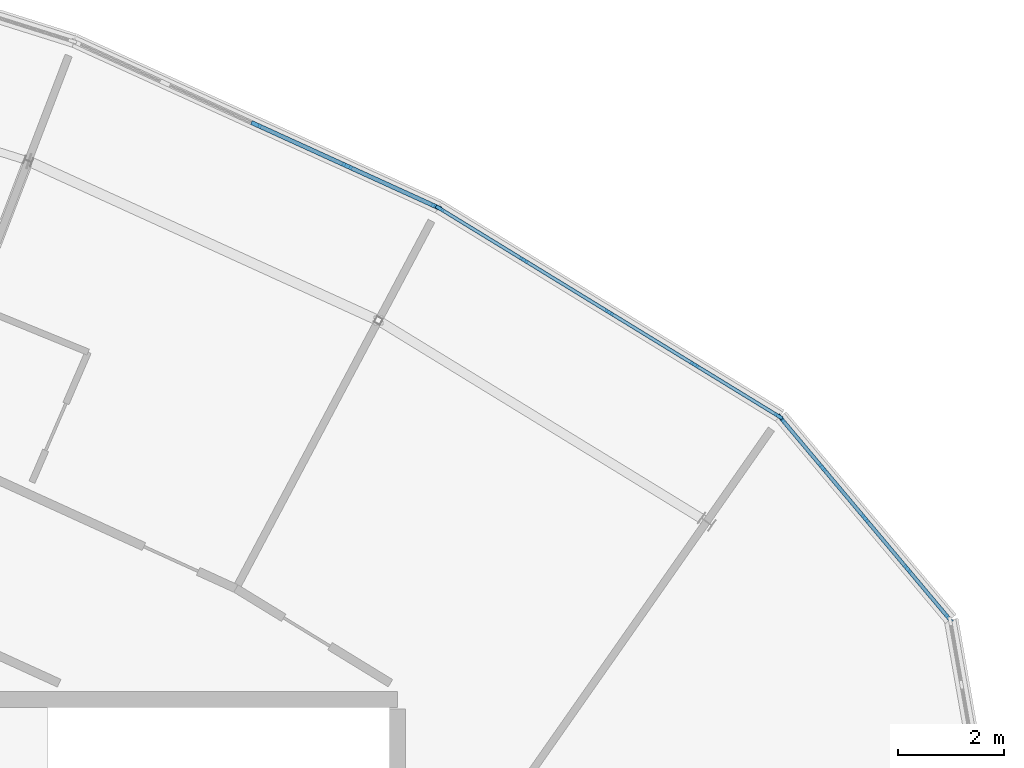
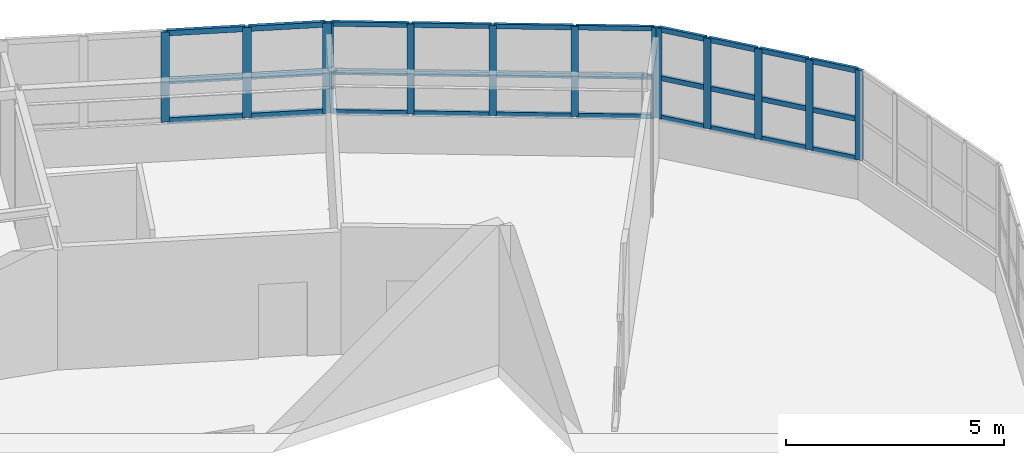
# One storey, part 14 of 26: 43 members, 3 elements without a shape of their own.
"""IFC4 building model written with IfcOpenShell, lengths in metres."""

from ifc_helpers import new_model, si_unit, direction, frame, origin, origin_2d, place, context, subcontext, project, spatial, rectangle, extrude, material, layer, layer_set, material_profile, profile_set, type_object, element, aggregate, save


model = new_model("IFC4")

# Units and contexts
model_context = context("Model", 3, precision=1e-05, world=origin(), true_north=direction((0.0, 1.0)))
body_context = subcontext(model_context, "Body", "Model", "MODEL_VIEW")
ifc_project = project(units=[si_unit("LENGTHUNIT", "METRE"), si_unit("AREAUNIT", "SQUARE_METRE"), si_unit("VOLUMEUNIT", "CUBIC_METRE"), si_unit("PLANEANGLEUNIT", "RADIAN"), si_unit("MASSUNIT", "GRAM", prefix="KILO")], contexts=[model_context])

# Site, building, storey
site_placement = place(None, origin())
site = spatial("IfcSite", under=ifc_project, at=site_placement, CompositionType="ELEMENT")
building_placement = place(site_placement, origin())
building = spatial("IfcBuilding", under=site, at=building_placement, Name="Tarnwether General Hospital", CompositionType="ELEMENT")
storey_placement = place(building_placement, frame((0.0, 0.0, 30.0)))
storey = spatial("IfcBuildingStorey", under=building, at=storey_placement, Name="L07", CompositionType="ELEMENT", Elevation=30.0)

# Curtain wall, members
ifc_material_1 = material(Name="Anodised aluminium", Category="aluminium")
ifc_layer_1 = layer(ifc_material_1, 0.159912109375)
ifc_layer_set_1 = layer_set([ifc_layer_1], Name="Anodised aluminium")
curtain_wall_type_1 = type_object("IfcCurtainWallType", Name="CW-03", PredefinedType="NOTDEFINED", material=ifc_layer_set_1)
curtain_wall_1_placement = place(storey_placement, origin())
curtain_wall_1 = element("IfcCurtainWall", 1, at=curtain_wall_1_placement, inside=storey, type_object=curtain_wall_type_1, Name="Curtain Wall CWG-L07-1273_1135-0145", PredefinedType="NOTDEFINED")
ifc_material_2 = material(Name="Anodised aluminium", Category="aluminium")
ifc_material_profile_1 = material_profile(ifc_material_2, rectangle(XDim=0.070068359375, YDim=0.179931640625, at=origin_2d()), Name="ALU-MUL-70x180")
ifc_profile_set_1 = profile_set([ifc_material_profile_1], Name="Anodised aluminium")
member_type_1 = type_object("IfcMemberType", Name="CW-ML2", PredefinedType="MULLION", material=ifc_profile_set_1)
member_1_placement = place(storey_placement, frame((127.3544921875, 113.43310546875, 1.050048828125), z_axis=(0.0, 0.0, 1.0), x_axis=(0.765990176896, 0.64285227611, 0.0)))
member_1 = element("IfcMember", 2, at=member_1_placement, type_object=member_type_1, Name="CW-03 mullion 1", PredefinedType="MULLION", context=body_context, shape_type="SweptSolid", body=[
    extrude(rectangle(XDim=0.070068359375, YDim=0.179931640625, at=origin_2d()), origin(), (0.0, 0.0, 1.0), 2.52001953125),
])
member_2_placement = place(storey_placement, frame((128.130859375, 112.50830078125, 1.050048828125), z_axis=(0.0, 0.0, 1.0), x_axis=(0.765990176896, 0.64285227611, 0.0)))
member_2 = element("IfcMember", 3, at=member_2_placement, type_object=member_type_1, Name="CW-03 mullion 2", PredefinedType="MULLION", context=body_context, shape_type="SweptSolid", body=[
    extrude(rectangle(XDim=0.070068359375, YDim=0.179931640625, at=origin_2d()), origin(), (0.0, 0.0, 1.0), 2.52001953125),
])
member_3_placement = place(storey_placement, frame((128.929443359375, 111.556396484375, 1.050048828125), z_axis=(0.0, 0.0, 1.0), x_axis=(0.765990176896, 0.64285227611, 0.0)))
member_3 = element("IfcMember", 4, at=member_3_placement, type_object=member_type_1, Name="CW-03 mullion 3", PredefinedType="MULLION", context=body_context, shape_type="SweptSolid", body=[
    extrude(rectangle(XDim=0.070068359375, YDim=0.179931640625, at=origin_2d()), origin(), (0.0, 0.0, 1.0), 2.52001953125),
])
member_4_placement = place(storey_placement, frame((129.728271484375, 110.604736328125, 1.050048828125), z_axis=(0.0, 0.0, 1.0), x_axis=(0.765990176896, 0.64285227611, 0.0)))
member_4 = element("IfcMember", 5, at=member_4_placement, type_object=member_type_1, Name="CW-03 mullion 4", PredefinedType="MULLION", context=body_context, shape_type="SweptSolid", body=[
    extrude(rectangle(XDim=0.070068359375, YDim=0.179931640625, at=origin_2d()), origin(), (0.0, 0.0, 1.0), 2.52001953125),
])
member_5_placement = place(storey_placement, frame((130.50439453125, 109.679931640625, 1.050048828125), z_axis=(0.0, 0.0, 1.0), x_axis=(0.765990176896, 0.64285227611, 0.0)))
member_5 = element("IfcMember", 6, at=member_5_placement, type_object=member_type_1, Name="CW-03 mullion 5", PredefinedType="MULLION", context=body_context, shape_type="SweptSolid", body=[
    extrude(rectangle(XDim=0.070068359375, YDim=0.179931640625, at=origin_2d()), origin(), (0.0, 0.0, 1.0), 2.52001953125),
])

ifc_material_3 = material(Name="Anodised aluminium", Category="aluminium")
ifc_layer_2 = layer(ifc_material_3, 0.179931640625)
ifc_layer_set_2 = layer_set([ifc_layer_2], Name="Anodised aluminium")
curtain_wall_type_2 = type_object("IfcCurtainWallType", Name="CW-07", PredefinedType="NOTDEFINED", material=ifc_layer_set_2)
curtain_wall_2_placement = place(storey_placement, origin())
curtain_wall_2 = element("IfcCurtainWall", 7, at=curtain_wall_2_placement, inside=storey, type_object=curtain_wall_type_2, Name="Curtain Wall CWG-L07-1209_1174-0146", PredefinedType="NOTDEFINED")
ifc_material_4 = material(Name="Anodised aluminium", Category="aluminium")
ifc_material_profile_2 = material_profile(ifc_material_4, rectangle(XDim=0.06494140625, YDim=0.169921875, at=origin_2d()), Name="ALU-MUL-65x170")
ifc_profile_set_2 = profile_set([ifc_material_profile_2], Name="Anodised aluminium")
member_type_2 = type_object("IfcMemberType", Name="CW-ML3", PredefinedType="MULLION", material=ifc_profile_set_2)
member_6_placement = place(storey_placement, frame((120.94677734375, 117.373046875, 1.050048828125), z_axis=(0.0, 0.0, 1.0), x_axis=(0.522509056361, 0.852633734977, 0.0)))
member_6 = element("IfcMember", 8, at=member_6_placement, type_object=member_type_2, Name="CW-07 mullion 1", PredefinedType="MULLION", context=body_context, shape_type="SweptSolid", body=[
    extrude(rectangle(XDim=0.06494140625, YDim=0.169921875, at=origin_2d()), origin(), (0.0, 0.0, 1.0), 2.52001953125),
])
member_7_placement = place(storey_placement, frame((122.522216796875, 116.407470703125, 1.050048828125), z_axis=(0.0, 0.0, 1.0), x_axis=(0.522509056361, 0.852633734977, 0.0)))
member_7 = element("IfcMember", 9, at=member_7_placement, type_object=member_type_2, Name="CW-07 mullion 2", PredefinedType="MULLION", context=body_context, shape_type="SweptSolid", body=[
    extrude(rectangle(XDim=0.06494140625, YDim=0.169921875, at=origin_2d()), origin(), (0.0, 0.0, 1.0), 2.52001953125),
])
member_8_placement = place(storey_placement, frame((124.12548828125, 115.425048828125, 1.050048828125), z_axis=(0.0, 0.0, 1.0), x_axis=(0.522509056361, 0.852633734977, 0.0)))
member_8 = element("IfcMember", 10, at=member_8_placement, type_object=member_type_2, Name="CW-07 mullion 3", PredefinedType="MULLION", context=body_context, shape_type="SweptSolid", body=[
    extrude(rectangle(XDim=0.06494140625, YDim=0.169921875, at=origin_2d()), origin(), (0.0, 0.0, 1.0), 2.52001953125),
])
member_9_placement = place(storey_placement, frame((125.728759765625, 114.4423828125, 1.050048828125), z_axis=(0.0, 0.0, 1.0), x_axis=(0.522509056361, 0.852633734977, 0.0)))
member_9 = element("IfcMember", 11, at=member_9_placement, type_object=member_type_2, Name="CW-07 mullion 4", PredefinedType="MULLION", context=body_context, shape_type="SweptSolid", body=[
    extrude(rectangle(XDim=0.06494140625, YDim=0.169921875, at=origin_2d()), origin(), (0.0, 0.0, 1.0), 2.52001953125),
])
member_10_placement = place(storey_placement, frame((127.30419921875, 113.47705078125, 1.050048828125), z_axis=(0.0, 0.0, 1.0), x_axis=(0.522509056361, 0.852633734977, 0.0)))
member_10 = element("IfcMember", 12, at=member_10_placement, type_object=member_type_2, Name="CW-07 mullion 5", PredefinedType="MULLION", context=body_context, shape_type="SweptSolid", body=[
    extrude(rectangle(XDim=0.06494140625, YDim=0.169921875, at=origin_2d()), origin(), (0.0, 0.0, 1.0), 2.52001953125),
])

curtain_wall_3_placement = place(storey_placement, origin())
curtain_wall_3 = element("IfcCurtainWall", 13, at=curtain_wall_3_placement, inside=storey, type_object=curtain_wall_type_2, Name="Curtain Wall CWG-L07-1141_1205-0147", PredefinedType="NOTDEFINED")
ifc_material_5 = material(Name="Anodised aluminium", Category="aluminium")
ifc_material_profile_3 = material_profile(ifc_material_5, rectangle(XDim=0.080078125, YDim=0.199951171875, at=origin_2d()), Name="ALU-MUL-80x200")
ifc_profile_set_3 = profile_set([ifc_material_profile_3], Name="Anodised aluminium")
member_type_3 = type_object("IfcMemberType", Name="CW-ML4", PredefinedType="MULLION", material=ifc_profile_set_3)
member_11_placement = place(storey_placement, frame((117.4970703125, 118.949462890625, 1.050048828125), z_axis=(0.0, 0.0, 1.0), x_axis=(0.414694289316, 0.909960793886, 0.0)))
member_11 = element("IfcMember", 14, at=member_11_placement, type_object=member_type_3, Name="CW-07 mullion 3", PredefinedType="MULLION", context=body_context, shape_type="SweptSolid", body=[
    extrude(rectangle(XDim=0.080078125, YDim=0.199951171875, at=origin_2d()), origin(), (0.0, 0.0, 1.0), 2.52001953125),
])
member_12_placement = place(storey_placement, frame((119.2080078125, 118.169677734375, 1.050048828125), z_axis=(0.0, 0.0, 1.0), x_axis=(0.414694289316, 0.909960793886, 0.0)))
member_12 = element("IfcMember", 15, at=member_12_placement, type_object=member_type_3, Name="CW-07 mullion 4", PredefinedType="MULLION", context=body_context, shape_type="SweptSolid", body=[
    extrude(rectangle(XDim=0.080078125, YDim=0.199951171875, at=origin_2d()), origin(), (0.0, 0.0, 1.0), 2.52001953125),
])
member_13_placement = place(storey_placement, frame((120.882568359375, 117.406494140625, 1.050048828125), z_axis=(0.0, 0.0, 1.0), x_axis=(0.414694289316, 0.909960793886, 0.0)))
member_13 = element("IfcMember", 16, at=member_13_placement, type_object=member_type_3, Name="CW-07 mullion 5", PredefinedType="MULLION", context=body_context, shape_type="SweptSolid", body=[
    extrude(rectangle(XDim=0.080078125, YDim=0.199951171875, at=origin_2d()), origin(), (0.0, 0.0, 1.0), 2.52001953125),
])

# Member
ifc_material_6 = material(Name="Anodised aluminium", Category="aluminium")
ifc_material_profile_4 = material_profile(ifc_material_6, rectangle(XDim=0.070068359375, YDim=0.139892578125, at=origin_2d()), Name="ALU-TRN-70x140")
ifc_profile_set_4 = profile_set([ifc_material_profile_4], Name="Anodised aluminium")
member_type_4 = type_object("IfcMemberType", Name="CW-TR2", PredefinedType="USERDEFINED", material=ifc_profile_set_4)
member_14_placement = place(storey_placement, frame((127.376953125, 113.406494140625, 1.0849609375), z_axis=(0.642819527062, -0.766017660128, 0.0), x_axis=(0.766017660128, 0.642819527062, 0.0)))
member_14 = element("IfcMember", 17, at=member_14_placement, type_object=member_type_4, Name="CW-03 transom 1.1", ObjectType="TRANSOM", PredefinedType="USERDEFINED", context=body_context, shape_type="SweptSolid", body=[
    extrude(rectangle(XDim=0.070068359375, YDim=0.139892578125, at=origin_2d()), origin(), (0.0, 0.0, 1.0), 1.137451171875),
])

member_15_placement = place(storey_placement, frame((127.376953125, 113.406494140625, 2.18408203125), z_axis=(0.642819527062, -0.766017660128, 0.0), x_axis=(0.766017660128, 0.642819527062, 0.0)))
member_15 = element("IfcMember", 18, at=member_15_placement, type_object=member_type_4, Name="CW-03 transom 1.2", ObjectType="TRANSOM", PredefinedType="USERDEFINED", context=body_context, shape_type="SweptSolid", body=[
    extrude(rectangle(XDim=0.070068359375, YDim=0.139892578125, at=origin_2d()), origin(), (0.0, 0.0, 1.0), 1.137451171875),
])

member_16_placement = place(storey_placement, frame((127.376953125, 113.406494140625, 3.534912109375), z_axis=(0.642819527062, -0.766017660128, 0.0), x_axis=(0.766017660128, 0.642819527062, 0.0)))
member_16 = element("IfcMember", 19, at=member_16_placement, type_object=member_type_4, Name="CW-03 transom 1.3", ObjectType="TRANSOM", PredefinedType="USERDEFINED", context=body_context, shape_type="SweptSolid", body=[
    extrude(rectangle(XDim=0.070068359375, YDim=0.139892578125, at=origin_2d()), origin(), (0.0, 0.0, 1.0), 1.137451171875),
])

member_17_placement = place(storey_placement, frame((128.1533203125, 112.4814453125, 1.0849609375), z_axis=(0.642781800387, -0.766049317662, 0.0), x_axis=(0.766049317662, 0.642781800387, 0.0)))
member_17 = element("IfcMember", 20, at=member_17_placement, type_object=member_type_4, Name="CW-03 transom 2.1", ObjectType="TRANSOM", PredefinedType="USERDEFINED", context=body_context, shape_type="SweptSolid", body=[
    extrude(rectangle(XDim=0.070068359375, YDim=0.139892578125, at=origin_2d()), origin(), (0.0, 0.0, 1.0), 1.172607421875),
])

member_18_placement = place(storey_placement, frame((128.1533203125, 112.4814453125, 2.18408203125), z_axis=(0.642781800387, -0.766049317662, 0.0), x_axis=(0.766049317662, 0.642781800387, 0.0)))
member_18 = element("IfcMember", 21, at=member_18_placement, type_object=member_type_4, Name="CW-03 transom 2.2", ObjectType="TRANSOM", PredefinedType="USERDEFINED", context=body_context, shape_type="SweptSolid", body=[
    extrude(rectangle(XDim=0.070068359375, YDim=0.139892578125, at=origin_2d()), origin(), (0.0, 0.0, 1.0), 1.172607421875),
])

member_19_placement = place(storey_placement, frame((128.1533203125, 112.4814453125, 3.534912109375), z_axis=(0.642781800387, -0.766049317662, 0.0), x_axis=(0.766049317662, 0.642781800387, 0.0)))
member_19 = element("IfcMember", 22, at=member_19_placement, type_object=member_type_4, Name="CW-03 transom 2.3", ObjectType="TRANSOM", PredefinedType="USERDEFINED", context=body_context, shape_type="SweptSolid", body=[
    extrude(rectangle(XDim=0.070068359375, YDim=0.139892578125, at=origin_2d()), origin(), (0.0, 0.0, 1.0), 1.172607421875),
])

member_20_placement = place(storey_placement, frame((128.951904296875, 111.52978515625, 1.0849609375), z_axis=(0.642903967191, -0.765946792519, 0.0), x_axis=(0.765946792519, 0.642903967191, 0.0)))
member_20 = element("IfcMember", 23, at=member_20_placement, type_object=member_type_4, Name="CW-03 transom 3.1", ObjectType="TRANSOM", PredefinedType="USERDEFINED", context=body_context, shape_type="SweptSolid", body=[
    extrude(rectangle(XDim=0.070068359375, YDim=0.139892578125, at=origin_2d()), origin(), (0.0, 0.0, 1.0), 1.172607421875),
])

member_21_placement = place(storey_placement, frame((128.951904296875, 111.52978515625, 2.18408203125), z_axis=(0.642903967191, -0.765946792519, 0.0), x_axis=(0.765946792519, 0.642903967191, 0.0)))
member_21 = element("IfcMember", 24, at=member_21_placement, type_object=member_type_4, Name="CW-03 transom 3.2", ObjectType="TRANSOM", PredefinedType="USERDEFINED", context=body_context, shape_type="SweptSolid", body=[
    extrude(rectangle(XDim=0.070068359375, YDim=0.139892578125, at=origin_2d()), origin(), (0.0, 0.0, 1.0), 1.172607421875),
])

member_22_placement = place(storey_placement, frame((128.951904296875, 111.52978515625, 3.534912109375), z_axis=(0.642903967191, -0.765946792519, 0.0), x_axis=(0.765946792519, 0.642903967191, 0.0)))
member_22 = element("IfcMember", 25, at=member_22_placement, type_object=member_type_4, Name="CW-03 transom 3.3", ObjectType="TRANSOM", PredefinedType="USERDEFINED", context=body_context, shape_type="SweptSolid", body=[
    extrude(rectangle(XDim=0.070068359375, YDim=0.139892578125, at=origin_2d()), origin(), (0.0, 0.0, 1.0), 1.172607421875),
])

member_23_placement = place(storey_placement, frame((129.750732421875, 110.577880859375, 1.0849609375), z_axis=(0.642819527062, -0.766017660128, 0.0), x_axis=(0.766017660128, 0.642819527062, 0.0)))
member_23 = element("IfcMember", 26, at=member_23_placement, type_object=member_type_4, Name="CW-03 transom 4.1", ObjectType="TRANSOM", PredefinedType="USERDEFINED", context=body_context, shape_type="SweptSolid", body=[
    extrude(rectangle(XDim=0.070068359375, YDim=0.139892578125, at=origin_2d()), origin(), (0.0, 0.0, 1.0), 1.137451171875),
])

member_24_placement = place(storey_placement, frame((129.750732421875, 110.577880859375, 2.18408203125), z_axis=(0.642819527062, -0.766017660128, 0.0), x_axis=(0.766017660128, 0.642819527062, 0.0)))
member_24 = element("IfcMember", 27, at=member_24_placement, type_object=member_type_4, Name="CW-03 transom 4.2", ObjectType="TRANSOM", PredefinedType="USERDEFINED", context=body_context, shape_type="SweptSolid", body=[
    extrude(rectangle(XDim=0.070068359375, YDim=0.139892578125, at=origin_2d()), origin(), (0.0, 0.0, 1.0), 1.137451171875),
])

member_25_placement = place(storey_placement, frame((129.750732421875, 110.577880859375, 3.534912109375), z_axis=(0.642819527062, -0.766017660128, 0.0), x_axis=(0.766017660128, 0.642819527062, 0.0)))
member_25 = element("IfcMember", 28, at=member_25_placement, type_object=member_type_4, Name="CW-03 transom 4.3", ObjectType="TRANSOM", PredefinedType="USERDEFINED", context=body_context, shape_type="SweptSolid", body=[
    extrude(rectangle(XDim=0.070068359375, YDim=0.139892578125, at=origin_2d()), origin(), (0.0, 0.0, 1.0), 1.137451171875),
])

aggregate(curtain_wall_1, [member_1, member_2, member_3, member_4, member_5, member_14, member_15, member_16, member_17, member_18, member_19, member_20, member_21, member_22, member_23, member_24, member_25])

ifc_material_7 = material(Name="Anodised aluminium", Category="aluminium")
ifc_material_profile_5 = material_profile(ifc_material_7, rectangle(XDim=0.06494140625, YDim=0.1298828125, at=origin_2d()), Name="ALU-TRN-65x130")
ifc_profile_set_5 = profile_set([ifc_material_profile_5], Name="Anodised aluminium")
member_type_5 = type_object("IfcMemberType", Name="CW-TR3", PredefinedType="USERDEFINED", material=ifc_profile_set_5)
member_26_placement = place(storey_placement, frame((120.974365234375, 117.35595703125, 1.08251953125), z_axis=(0.852695705147, -0.522407919565, 0.0), x_axis=(0.522407919565, 0.852695705147, 0.0)))
member_26 = element("IfcMember", 29, at=member_26_placement, type_object=member_type_5, Name="CW-07 transom 1.1", ObjectType="TRANSOM", PredefinedType="USERDEFINED", context=body_context, shape_type="SweptSolid", body=[
    extrude(rectangle(XDim=0.06494140625, YDim=0.1298828125, at=origin_2d()), origin(), (0.0, 0.0, 1.0), 1.782958984375),
])

member_27_placement = place(storey_placement, frame((120.974365234375, 117.35595703125, 2.18408203125), z_axis=(0.852695705147, -0.522407919565, 0.0), x_axis=(0.522407919565, 0.852695705147, 0.0)))
member_27 = element("IfcMember", 30, at=member_27_placement, type_object=member_type_5, Name="CW-07 transom 1.2", ObjectType="TRANSOM", PredefinedType="USERDEFINED", context=body_context, shape_type="SweptSolid", body=[
    extrude(rectangle(XDim=0.06494140625, YDim=0.1298828125, at=origin_2d()), origin(), (0.0, 0.0, 1.0), 1.782958984375),
])

member_28_placement = place(storey_placement, frame((120.974365234375, 117.35595703125, 3.53759765625), z_axis=(0.852695705147, -0.522407919565, 0.0), x_axis=(0.522407919565, 0.852695705147, 0.0)))
member_28 = element("IfcMember", 31, at=member_28_placement, type_object=member_type_5, Name="CW-07 transom 1.3", ObjectType="TRANSOM", PredefinedType="USERDEFINED", context=body_context, shape_type="SweptSolid", body=[
    extrude(rectangle(XDim=0.06494140625, YDim=0.1298828125, at=origin_2d()), origin(), (0.0, 0.0, 1.0), 1.782958984375),
])

member_29_placement = place(storey_placement, frame((122.550048828125, 116.390625, 1.08251953125), z_axis=(0.852589655774, -0.522580978287, 0.0), x_axis=(0.522580978287, 0.852589655774, 0.0)))
member_29 = element("IfcMember", 32, at=member_29_placement, type_object=member_type_5, Name="CW-07 transom 2.1", ObjectType="TRANSOM", PredefinedType="USERDEFINED", context=body_context, shape_type="SweptSolid", body=[
    extrude(rectangle(XDim=0.06494140625, YDim=0.1298828125, at=origin_2d()), origin(), (0.0, 0.0, 1.0), 1.8154296875),
])

member_30_placement = place(storey_placement, frame((122.550048828125, 116.390625, 2.18408203125), z_axis=(0.852589655774, -0.522580978287, 0.0), x_axis=(0.522580978287, 0.852589655774, 0.0)))
member_30 = element("IfcMember", 33, at=member_30_placement, type_object=member_type_5, Name="CW-07 transom 2.2", ObjectType="TRANSOM", PredefinedType="USERDEFINED", context=body_context, shape_type="SweptSolid", body=[
    extrude(rectangle(XDim=0.06494140625, YDim=0.1298828125, at=origin_2d()), origin(), (0.0, 0.0, 1.0), 1.8154296875),
])

member_31_placement = place(storey_placement, frame((122.550048828125, 116.390625, 3.53759765625), z_axis=(0.852589655774, -0.522580978287, 0.0), x_axis=(0.522580978287, 0.852589655774, 0.0)))
member_31 = element("IfcMember", 34, at=member_31_placement, type_object=member_type_5, Name="CW-07 transom 2.3", ObjectType="TRANSOM", PredefinedType="USERDEFINED", context=body_context, shape_type="SweptSolid", body=[
    extrude(rectangle(XDim=0.06494140625, YDim=0.1298828125, at=origin_2d()), origin(), (0.0, 0.0, 1.0), 1.8154296875),
])

member_32_placement = place(storey_placement, frame((124.1533203125, 115.407958984375, 1.08251953125), z_axis=(0.852612850773, -0.522543133815, 0.0), x_axis=(0.522543133815, 0.852612850773, 0.0)))
member_32 = element("IfcMember", 35, at=member_32_placement, type_object=member_type_5, Name="CW-07 transom 3.1", ObjectType="TRANSOM", PredefinedType="USERDEFINED", context=body_context, shape_type="SweptSolid", body=[
    extrude(rectangle(XDim=0.06494140625, YDim=0.1298828125, at=origin_2d()), origin(), (0.0, 0.0, 1.0), 1.815185546875),
])

member_33_placement = place(storey_placement, frame((124.1533203125, 115.407958984375, 2.18408203125), z_axis=(0.852612850773, -0.522543133815, 0.0), x_axis=(0.522543133815, 0.852612850773, 0.0)))
member_33 = element("IfcMember", 36, at=member_33_placement, type_object=member_type_5, Name="CW-07 transom 3.2", ObjectType="TRANSOM", PredefinedType="USERDEFINED", context=body_context, shape_type="SweptSolid", body=[
    extrude(rectangle(XDim=0.06494140625, YDim=0.1298828125, at=origin_2d()), origin(), (0.0, 0.0, 1.0), 1.815185546875),
])

member_34_placement = place(storey_placement, frame((124.1533203125, 115.407958984375, 3.53759765625), z_axis=(0.852612850773, -0.522543133815, 0.0), x_axis=(0.522543133815, 0.852612850773, 0.0)))
member_34 = element("IfcMember", 37, at=member_34_placement, type_object=member_type_5, Name="CW-07 transom 3.3", ObjectType="TRANSOM", PredefinedType="USERDEFINED", context=body_context, shape_type="SweptSolid", body=[
    extrude(rectangle(XDim=0.06494140625, YDim=0.1298828125, at=origin_2d()), origin(), (0.0, 0.0, 1.0), 1.815185546875),
])

member_35_placement = place(storey_placement, frame((125.75634765625, 114.425537109375, 1.08251953125), z_axis=(0.852634705215, -0.522507473117, 0.0), x_axis=(0.522507473117, 0.852634705215, 0.0)))
member_35 = element("IfcMember", 38, at=member_35_placement, type_object=member_type_5, Name="CW-07 transom 4.1", ObjectType="TRANSOM", PredefinedType="USERDEFINED", context=body_context, shape_type="SweptSolid", body=[
    extrude(rectangle(XDim=0.06494140625, YDim=0.1298828125, at=origin_2d()), origin(), (0.0, 0.0, 1.0), 1.782958984375),
])

member_36_placement = place(storey_placement, frame((125.75634765625, 114.425537109375, 2.18408203125), z_axis=(0.852634705215, -0.522507473117, 0.0), x_axis=(0.522507473117, 0.852634705215, 0.0)))
member_36 = element("IfcMember", 39, at=member_36_placement, type_object=member_type_5, Name="CW-07 transom 4.2", ObjectType="TRANSOM", PredefinedType="USERDEFINED", context=body_context, shape_type="SweptSolid", body=[
    extrude(rectangle(XDim=0.06494140625, YDim=0.1298828125, at=origin_2d()), origin(), (0.0, 0.0, 1.0), 1.782958984375),
])

member_37_placement = place(storey_placement, frame((125.75634765625, 114.425537109375, 3.53759765625), z_axis=(0.852634705215, -0.522507473117, 0.0), x_axis=(0.522507473117, 0.852634705215, 0.0)))
member_37 = element("IfcMember", 40, at=member_37_placement, type_object=member_type_5, Name="CW-07 transom 4.3", ObjectType="TRANSOM", PredefinedType="USERDEFINED", context=body_context, shape_type="SweptSolid", body=[
    extrude(rectangle(XDim=0.06494140625, YDim=0.1298828125, at=origin_2d()), origin(), (0.0, 0.0, 1.0), 1.782958984375),
])

aggregate(curtain_wall_2, [member_6, member_7, member_8, member_9, member_10, member_26, member_27, member_28, member_29, member_30, member_31, member_32, member_33, member_34, member_35, member_36, member_37])

ifc_material_8 = material(Name="Anodised aluminium", Category="aluminium")
ifc_material_profile_6 = material_profile(ifc_material_8, rectangle(XDim=0.080078125, YDim=0.14990234375, at=origin_2d()), Name="ALU-TRN-80x150")
ifc_profile_set_6 = profile_set([ifc_material_profile_6], Name="Anodised aluminium")
member_type_6 = type_object("IfcMemberType", Name="CW-TR4", PredefinedType="USERDEFINED", material=ifc_profile_set_6)
member_38_placement = place(storey_placement, frame((117.533447265625, 118.932861328125, 1.090087890625), z_axis=(0.909957339383, -0.414701869424, 0.0), x_axis=(0.414701869424, 0.909957339383, 0.0)))
member_38 = element("IfcMember", 41, at=member_38_placement, type_object=member_type_6, Name="CW-07 transom 3.1", ObjectType="TRANSOM", PredefinedType="USERDEFINED", context=body_context, shape_type="SweptSolid", body=[
    extrude(rectangle(XDim=0.080078125, YDim=0.14990234375, at=origin_2d()), origin(), (0.0, 0.0, 1.0), 1.80029296875),
])

member_39_placement = place(storey_placement, frame((117.533447265625, 118.932861328125, 2.18408203125), z_axis=(0.909957339383, -0.414701869424, 0.0), x_axis=(0.414701869424, 0.909957339383, 0.0)))
member_39 = element("IfcMember", 42, at=member_39_placement, type_object=member_type_6, Name="CW-07 transom 3.2", ObjectType="TRANSOM", PredefinedType="USERDEFINED", context=body_context, shape_type="SweptSolid", body=[
    extrude(rectangle(XDim=0.080078125, YDim=0.14990234375, at=origin_2d()), origin(), (0.0, 0.0, 1.0), 1.80029296875),
])

member_40_placement = place(storey_placement, frame((117.533447265625, 118.932861328125, 3.530029296875), z_axis=(0.909957339383, -0.414701869424, 0.0), x_axis=(0.414701869424, 0.909957339383, 0.0)))
member_40 = element("IfcMember", 43, at=member_40_placement, type_object=member_type_6, Name="CW-07 transom 3.3", ObjectType="TRANSOM", PredefinedType="USERDEFINED", context=body_context, shape_type="SweptSolid", body=[
    extrude(rectangle(XDim=0.080078125, YDim=0.14990234375, at=origin_2d()), origin(), (0.0, 0.0, 1.0), 1.80029296875),
])

member_41_placement = place(storey_placement, frame((119.244384765625, 118.153076171875, 1.090087890625), z_axis=(0.90996231564, -0.414690950124, 0.0), x_axis=(0.414690950124, 0.90996231564, 0.0)))
member_41 = element("IfcMember", 44, at=member_41_placement, type_object=member_type_6, Name="CW-07 transom 4.1", ObjectType="TRANSOM", PredefinedType="USERDEFINED", context=body_context, shape_type="SweptSolid", body=[
    extrude(rectangle(XDim=0.080078125, YDim=0.14990234375, at=origin_2d()), origin(), (0.0, 0.0, 1.0), 1.76025390625),
])

member_42_placement = place(storey_placement, frame((119.244384765625, 118.153076171875, 2.18408203125), z_axis=(0.90996231564, -0.414690950124, 0.0), x_axis=(0.414690950124, 0.90996231564, 0.0)))
member_42 = element("IfcMember", 45, at=member_42_placement, type_object=member_type_6, Name="CW-07 transom 4.2", ObjectType="TRANSOM", PredefinedType="USERDEFINED", context=body_context, shape_type="SweptSolid", body=[
    extrude(rectangle(XDim=0.080078125, YDim=0.14990234375, at=origin_2d()), origin(), (0.0, 0.0, 1.0), 1.76025390625),
])

member_43_placement = place(storey_placement, frame((119.244384765625, 118.153076171875, 3.530029296875), z_axis=(0.90996231564, -0.414690950124, 0.0), x_axis=(0.414690950124, 0.90996231564, 0.0)))
member_43 = element("IfcMember", 46, at=member_43_placement, type_object=member_type_6, Name="CW-07 transom 4.3", ObjectType="TRANSOM", PredefinedType="USERDEFINED", context=body_context, shape_type="SweptSolid", body=[
    extrude(rectangle(XDim=0.080078125, YDim=0.14990234375, at=origin_2d()), origin(), (0.0, 0.0, 1.0), 1.76025390625),
])

aggregate(curtain_wall_3, [member_11, member_12, member_13, member_38, member_39, member_40, member_41, member_42, member_43])

save(model, "model.ifc")
